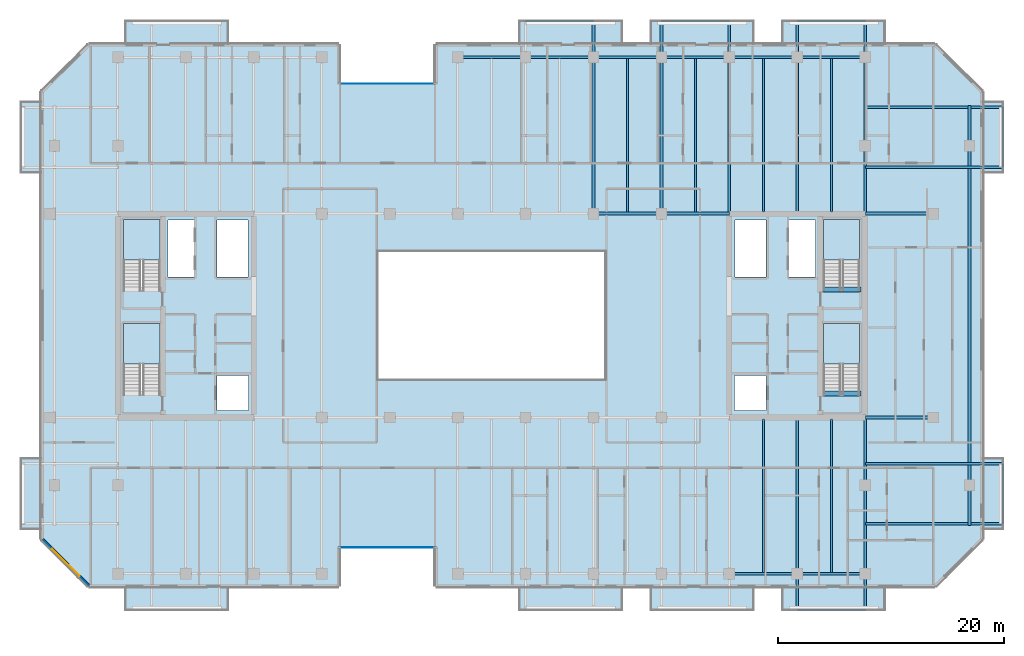
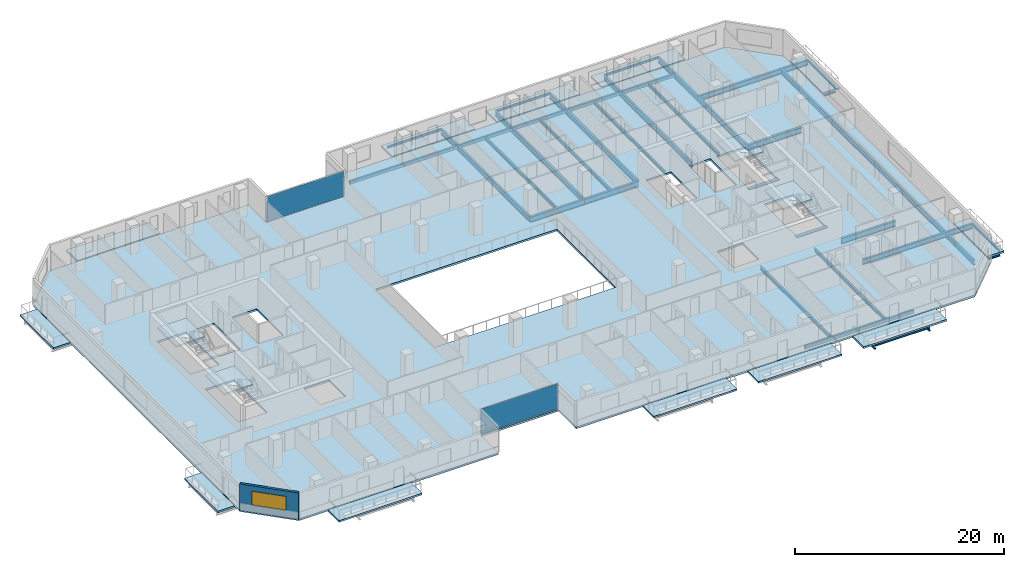
# One storey, part 9 of 23: 40 beams, 17 slabs, 2 plates, 1 wall, 1 window, 1 opening, 6 elements without a shape of their own.
"""IFC4 building model written with IfcOpenShell, lengths in metres."""

from ifc_helpers import new_model, si_unit, direction, frame, frame_2d, origin, origin_2d, place, context, subcontext, project, spatial, polyline, rectangle, hollow_rectangle, i_section, outline, extrude, material, layer, layer_set, material_profile, profile_set, type_object, element, fill, aggregate, save


model = new_model("IFC4")

# Units and contexts
model_context = context("Model", 3, precision=1e-05, world=origin(), true_north=direction((0.0, 1.0)))
body_context = subcontext(model_context, "Body", "Model", "MODEL_VIEW")
ifc_project = project(units=[si_unit("LENGTHUNIT", "METRE"), si_unit("AREAUNIT", "SQUARE_METRE"), si_unit("VOLUMEUNIT", "CUBIC_METRE"), si_unit("PLANEANGLEUNIT", "RADIAN"), si_unit("MASSUNIT", "GRAM", prefix="KILO")], contexts=[model_context])

# Site, building, storey
site_placement = place(None, origin())
site = spatial("IfcSite", under=ifc_project, at=site_placement, CompositionType="ELEMENT")
building_placement = place(site_placement, origin())
building = spatial("IfcBuilding", under=site, at=building_placement, Name="Tanjung Sevakor Pilgrim Tower", CompositionType="ELEMENT")
storey_placement = place(building_placement, frame((0.0, 0.0, 101.969970703125)))
storey = spatial("IfcBuildingStorey", under=building, at=storey_placement, Name="L28", CompositionType="ELEMENT", Elevation=101.969970703125)

# Beams
ifc_material_1 = material(Name="Steel S355J2", Category="steel")
ifc_material_profile_1 = material_profile(ifc_material_1, i_section(OverallWidth=0.25439453125, OverallDepth=0.6875, WebThickness=0.01318359375, FlangeThickness=0.02099609375, FilletRadius=0.01513671875, at=origin_2d()))
ifc_profile_set_1 = profile_set([ifc_material_profile_1], Name="Steel S355J2")
beam_type_1 = type_object("IfcBeamType", Name="BM-B-G2-UB_686x254x152", PredefinedType="BEAM", material=ifc_profile_set_1)
for number, where, z_axis, x_axis, name in (
    (1, (90.0, 24.60009765625, -0.563720703125), (1.0, 0.0, 0.0), (0.0, 1.0, 0.0), "L28 Primary Floor Girder MAIN Y246-09"),
    (2, (66.0, 42.60009765625, -0.563720703125), (1.0, 0.0, 0.0), (0.0, 1.0, 0.0), "L28 Primary Floor Girder MAIN Y426-07"),
    (3, (72.0, 42.60009765625, -0.563720703125), (1.0, 0.0, 0.0), (0.0, 1.0, 0.0), "L28 Primary Floor Girder MAIN Y426-08"),
    (4, (90.0, 42.60009765625, -0.563720703125), (1.0, 0.0, 0.0), (0.0, 1.0, 0.0), "L28 Primary Floor Girder MAIN Y426-09"),
):
    element("IfcBeam", number, at=place(storey_placement, frame(where, z_axis=z_axis, x_axis=x_axis)), inside=storey, type_object=beam_type_1, Name=name, PredefinedType="BEAM", context=body_context, shape_type="SweptSolid", body=[
        extrude(i_section(OverallWidth=0.25439453125, OverallDepth=0.6875, WebThickness=0.01318359375, FlangeThickness=0.02099609375, FilletRadius=0.01513671875, at=origin_2d()), origin(), (0.0, 0.0, 1.0), 6.0),
    ])
ifc_material_2 = material(Name="Steel S355J2", Category="steel")
ifc_material_profile_2 = material_profile(ifc_material_2, i_section(OverallWidth=0.230224609375, OverallDepth=0.6171875, WebThickness=0.01318359375, FlangeThickness=0.022216796875, FilletRadius=0.0126953125, at=origin_2d()))
ifc_profile_set_2 = profile_set([ifc_material_profile_2], Name="Steel S355J2")
beam_type_2 = type_object("IfcBeamType", Name="BM-B-G3-UB_610x229x140", PredefinedType="BEAM", material=ifc_profile_set_2)
for number, where, z_axis, x_axis, name in (
    (5, (66.0, 42.60009765625, -0.528564453125), (0.0, 1.0, 0.0), (-1.0, 0.0, 0.0), "L28 Balcony Cantilever Beam MAIN-N2-2"),
    (6, (72.0, 42.60009765625, -0.528564453125), (0.0, 1.0, 0.0), (-1.0, 0.0, 0.0), "L28 Balcony Cantilever Beam MAIN-N3-1"),
):
    element("IfcBeam", number, at=place(storey_placement, frame(where, z_axis=z_axis, x_axis=x_axis)), inside=storey, type_object=beam_type_2, Name=name, PredefinedType="BEAM", context=body_context, shape_type="SweptSolid", body=[
        extrude(i_section(OverallWidth=0.230224609375, OverallDepth=0.6171875, WebThickness=0.01318359375, FlangeThickness=0.022216796875, FilletRadius=0.0126953125, at=origin_2d()), origin(), (0.0, 0.0, 1.0), 16.97998046875),
    ])
beam_1_placement = place(storey_placement, frame((78.0, 42.727294921875, -0.528564453125), z_axis=(0.0, 1.0, 0.0), x_axis=(-1.0, 0.0, 0.0)))
element("IfcBeam", 7, at=beam_1_placement, inside=storey, type_object=beam_type_2, Name="L28 Balcony Cantilever Beam MAIN-N3-2", PredefinedType="BEAM", context=body_context, shape_type="SweptSolid", body=[
    extrude(i_section(OverallWidth=0.230224609375, OverallDepth=0.6171875, WebThickness=0.01318359375, FlangeThickness=0.022216796875, FilletRadius=0.0126953125, at=origin_2d()), origin(), (0.0, 0.0, 1.0), 16.852783203125),
])
beam_2_placement = place(storey_placement, frame((84.0, 24.47265625, -0.528564453125), z_axis=(0.0, -1.0, 0.0), x_axis=(1.0, 0.0, 0.0)))
element("IfcBeam", 8, at=beam_2_placement, inside=storey, type_object=beam_type_2, Name="L28 Balcony Cantilever Beam MAIN-S4-1", PredefinedType="BEAM", context=body_context, shape_type="SweptSolid", body=[
    extrude(i_section(OverallWidth=0.230224609375, OverallDepth=0.6171875, WebThickness=0.01318359375, FlangeThickness=0.022216796875, FilletRadius=0.0126953125, at=origin_2d()), origin(), (0.0, 0.0, 1.0), 16.8525390625),
])
beam_3_placement = place(storey_placement, frame((84.0, 42.727294921875, -0.528564453125), z_axis=(0.0, 1.0, 0.0), x_axis=(-1.0, 0.0, 0.0)))
element("IfcBeam", 9, at=beam_3_placement, inside=storey, type_object=beam_type_2, Name="L28 Balcony Cantilever Beam MAIN-N4-1", PredefinedType="BEAM", context=body_context, shape_type="SweptSolid", body=[
    extrude(i_section(OverallWidth=0.230224609375, OverallDepth=0.6171875, WebThickness=0.01318359375, FlangeThickness=0.022216796875, FilletRadius=0.0126953125, at=origin_2d()), origin(), (0.0, 0.0, 1.0), 16.852783203125),
])
beam_4_placement = place(storey_placement, frame((90.0, 24.47265625, -0.528564453125), z_axis=(0.0, -1.0, 0.0), x_axis=(1.0, 0.0, 0.0)))
element("IfcBeam", 10, at=beam_4_placement, inside=storey, type_object=beam_type_2, Name="L28 Balcony Cantilever Beam MAIN-S4-2", PredefinedType="BEAM", context=body_context, shape_type="SweptSolid", body=[
    extrude(i_section(OverallWidth=0.230224609375, OverallDepth=0.6171875, WebThickness=0.01318359375, FlangeThickness=0.022216796875, FilletRadius=0.0126953125, at=origin_2d()), origin(), (0.0, 0.0, 1.0), 16.8525390625),
])
beam_5_placement = place(storey_placement, frame((90.0, 42.727294921875, -0.528564453125), z_axis=(0.0, 1.0, 0.0), x_axis=(-1.0, 0.0, 0.0)))
element("IfcBeam", 11, at=beam_5_placement, inside=storey, type_object=beam_type_2, Name="L28 Balcony Cantilever Beam MAIN-N4-2", PredefinedType="BEAM", context=body_context, shape_type="SweptSolid", body=[
    extrude(i_section(OverallWidth=0.230224609375, OverallDepth=0.6171875, WebThickness=0.01318359375, FlangeThickness=0.022216796875, FilletRadius=0.0126953125, at=origin_2d()), origin(), (0.0, 0.0, 1.0), 16.852783203125),
])
ifc_material_3 = material(Name="Steel S355J2", Category="steel")
ifc_material_profile_3 = material_profile(ifc_material_3, i_section(OverallWidth=0.22900390625, OverallDepth=0.6123046875, WebThickness=0.011962890625, FlangeThickness=0.01953125, FilletRadius=0.0126953125, at=origin_2d()))
ifc_profile_set_3 = profile_set([ifc_material_profile_3], Name="Steel S355J2")
beam_type_3 = type_object("IfcBeamType", Name="BM-B-G4-UB_610x229x125", PredefinedType="BEAM", material=ifc_profile_set_3)
beam_6_placement = place(storey_placement, frame((99.199951171875, 18.60009765625, -0.526123046875), z_axis=(0.0, 1.0, 0.0), x_axis=(-1.0, 0.0, 0.0)))
element("IfcBeam", 12, at=beam_6_placement, inside=storey, type_object=beam_type_3, Name="L28 Short-End Edge Girder E", PredefinedType="BEAM", context=body_context, shape_type="SweptSolid", body=[
    extrude(i_section(OverallWidth=0.22900390625, OverallDepth=0.6123046875, WebThickness=0.011962890625, FlangeThickness=0.01953125, FilletRadius=0.0126953125, at=origin_2d()), origin(), (0.0, 0.0, 1.0), 30.0),
])
beam_7_placement = place(storey_placement, frame((99.199951171875, 18.60009765625, -0.526123046875), z_axis=(0.0, -1.0, 0.0), x_axis=(1.0, 0.0, 0.0)))
element("IfcBeam", 13, at=beam_7_placement, inside=storey, type_object=beam_type_3, Name="L28 Short-End Edge Extension S-E", PredefinedType="BEAM", context=body_context, shape_type="SweptSolid", body=[
    extrude(i_section(OverallWidth=0.22900390625, OverallDepth=0.6123046875, WebThickness=0.011962890625, FlangeThickness=0.01953125, FilletRadius=0.0126953125, at=origin_2d()), origin(), (0.0, 0.0, 1.0), 3.550048828125),
])
for number, where, z_axis, x_axis, name in (
    (14, (90.0, 15.199951171875, -0.526123046875), (1.0, 0.0, 0.0), (0.0, 1.0, 0.0), "L28 Balcony Overhanging Beam MAIN-E1-1"),
    (15, (90.0, 20.5, -0.526123046875), (1.0, 0.0, 0.0), (0.0, 1.0, 0.0), "L28 Balcony Overhanging Beam MAIN-E1-2"),
):
    element("IfcBeam", number, at=place(storey_placement, frame(where, z_axis=z_axis, x_axis=x_axis)), inside=storey, type_object=beam_type_3, Name=name, PredefinedType="BEAM", context=body_context, shape_type="SweptSolid", body=[
        extrude(i_section(OverallWidth=0.22900390625, OverallDepth=0.6123046875, WebThickness=0.011962890625, FlangeThickness=0.01953125, FilletRadius=0.0126953125, at=origin_2d()), origin(), (0.0, 0.0, 1.0), 12.1298828125),
    ])
beam_8_placement = place(storey_placement, frame((99.199951171875, 48.60009765625, -0.526123046875), z_axis=(0.0, 1.0, 0.0), x_axis=(-1.0, 0.0, 0.0)))
element("IfcBeam", 16, at=beam_8_placement, inside=storey, type_object=beam_type_3, Name="L28 Short-End Edge Extension N-E", PredefinedType="BEAM", context=body_context, shape_type="SweptSolid", body=[
    extrude(i_section(OverallWidth=0.22900390625, OverallDepth=0.6123046875, WebThickness=0.011962890625, FlangeThickness=0.01953125, FilletRadius=0.0126953125, at=origin_2d()), origin(), (0.0, 0.0, 1.0), 3.5498046875),
])
for number, where, z_axis, x_axis, name in (
    (17, (90.0, 46.699951171875, -0.526123046875), (1.0, 0.0, 0.0), (0.0, 1.0, 0.0), "L28 Balcony Overhanging Beam MAIN-E2-1"),
    (18, (90.0, 52.0, -0.526123046875), (1.0, 0.0, 0.0), (0.0, 1.0, 0.0), "L28 Balcony Overhanging Beam MAIN-E2-2"),
):
    element("IfcBeam", number, at=place(storey_placement, frame(where, z_axis=z_axis, x_axis=x_axis)), inside=storey, type_object=beam_type_3, Name=name, PredefinedType="BEAM", context=body_context, shape_type="SweptSolid", body=[
        extrude(i_section(OverallWidth=0.22900390625, OverallDepth=0.6123046875, WebThickness=0.011962890625, FlangeThickness=0.01953125, FilletRadius=0.0126953125, at=origin_2d()), origin(), (0.0, 0.0, 1.0), 12.1298828125),
    ])
ifc_material_4 = material(Name="Steel S355J2", Category="steel")
ifc_material_profile_4 = material_profile(ifc_material_4, i_section(OverallWidth=0.1787109375, OverallDepth=0.409423828125, WebThickness=0.0087890625, FlangeThickness=0.014404296875, FilletRadius=0.01025390625, at=origin_2d()))
ifc_profile_set_4 = profile_set([ifc_material_profile_4], Name="Steel S355J2")
beam_type_4 = type_object("IfcBeamType", Name="BM-B-J3-UB_406x178x67", PredefinedType="JOIST", material=ifc_profile_set_4)
for number, where, z_axis, x_axis, name in (
    (19, (69.0, 42.727294921875, -0.424560546875), (0.0, 1.0, 0.0), (-1.0, 0.0, 0.0), "L28 MAIN Joist 019"),
    (20, (75.0, 42.727294921875, -0.424560546875), (0.0, 1.0, 0.0), (-1.0, 0.0, 0.0), "L28 MAIN Joist 022"),
    (21, (81.0, 10.89990234375, -0.424560546875), (0.0, 1.0, 0.0), (-1.0, 0.0, 0.0), "L28 MAIN Joist 023"),
    (22, (81.0, 42.727294921875, -0.424560546875), (0.0, 1.0, 0.0), (-1.0, 0.0, 0.0), "L28 MAIN Joist 024"),
    (23, (87.0, 10.89990234375, -0.424560546875), (0.0, 1.0, 0.0), (-1.0, 0.0, 0.0), "L28 MAIN Joist 025"),
    (24, (87.0, 42.727294921875, -0.424560546875), (0.0, 1.0, 0.0), (-1.0, 0.0, 0.0), "L28 MAIN Joist 026"),
):
    element("IfcBeam", number, at=place(storey_placement, frame(where, z_axis=z_axis, x_axis=x_axis)), inside=storey, type_object=beam_type_4, Name=name, PredefinedType="JOIST", context=body_context, shape_type="SweptSolid", body=[
        extrude(i_section(OverallWidth=0.1787109375, OverallDepth=0.409423828125, WebThickness=0.0087890625, FlangeThickness=0.014404296875, FilletRadius=0.01025390625, at=origin_2d()), origin(), (0.0, 0.0, 1.0), 13.57275390625),
    ])
ifc_material_5 = material(Name="Steel S355J2", Category="steel")
ifc_material_profile_5 = material_profile(ifc_material_5, i_section(OverallWidth=0.146484375, OverallDepth=0.256103515625, WebThickness=0.00634765625, FlangeThickness=0.010986328125, FilletRadius=0.007568359375, at=origin_2d()))
ifc_profile_set_5 = profile_set([ifc_material_profile_5], Name="Steel S355J2")
beam_type_5 = type_object("IfcBeamType", Name="BM-B-J6-UB_254x146x37", PredefinedType="JOIST", material=ifc_profile_set_5)
for number, where, z_axis, x_axis, name in (
    (25, (60.0, 59.580078125, -0.327880859375), (1.0, 0.0, 0.0), (0.0, 1.0, 0.0), "L28 Balcony Rim Tie MAIN-N2"),
    (26, (72.0, 59.580078125, -0.327880859375), (1.0, 0.0, 0.0), (0.0, 1.0, 0.0), "L28 Balcony Rim Tie MAIN-N3"),
    (27, (84.0, 7.6201171875, -0.327880859375), (1.0, 0.0, 0.0), (0.0, 1.0, 0.0), "L28 Balcony Rim Tie MAIN-S4"),
    (28, (84.0, 59.580078125, -0.327880859375), (1.0, 0.0, 0.0), (0.0, 1.0, 0.0), "L28 Balcony Rim Tie MAIN-N4"),
):
    element("IfcBeam", number, at=place(storey_placement, frame(where, z_axis=z_axis, x_axis=x_axis)), inside=storey, type_object=beam_type_5, Name=name, PredefinedType="JOIST", context=body_context, shape_type="SweptSolid", body=[
        extrude(i_section(OverallWidth=0.146484375, OverallDepth=0.256103515625, WebThickness=0.00634765625, FlangeThickness=0.010986328125, FilletRadius=0.007568359375, at=origin_2d()), origin(), (0.0, 0.0, 1.0), 6.0),
    ])
for number, where, z_axis, x_axis, name in (
    (29, (102.1298828125, 15.199951171875, -0.327880859375), (0.0, 1.0, 0.0), (-1.0, 0.0, 0.0), "L28 Balcony Rim Tie MAIN-E1"),
    (30, (102.1298828125, 46.699951171875, -0.327880859375), (0.0, 1.0, 0.0), (-1.0, 0.0, 0.0), "L28 Balcony Rim Tie MAIN-E2"),
):
    element("IfcBeam", number, at=place(storey_placement, frame(where, z_axis=z_axis, x_axis=x_axis)), inside=storey, type_object=beam_type_5, Name=name, PredefinedType="JOIST", context=body_context, shape_type="SweptSolid", body=[
        extrude(i_section(OverallWidth=0.146484375, OverallDepth=0.256103515625, WebThickness=0.00634765625, FlangeThickness=0.010986328125, FilletRadius=0.007568359375, at=origin_2d()), origin(), (0.0, 0.0, 1.0), 5.300048828125),
    ])
ifc_material_6 = material(Name="Concrete C60/75", Category="concrete")
ifc_material_profile_6 = material_profile(ifc_material_6, rectangle(XDim=0.449951171875, YDim=0.699951171875, at=origin_2d()))
ifc_profile_set_6 = profile_set([ifc_material_profile_6], Name="Concrete C60/75")
beam_type_6 = type_object("IfcBeamType", Name="BM-B-LN3-RC-BM_450x700", PredefinedType="LINTEL", material=ifc_profile_set_6)
for number, where, z_axis, x_axis, name in (
    (31, (86.199951171875, 26.699951171875, -0.349853515625), (1.0, 0.0, 0.0), (0.0, 1.0, 0.0), "L28 TS-E1 Stair Threshold Beam"),
    (32, (86.199951171875, 35.89990234375, -0.349853515625), (1.0, 0.0, 0.0), (0.0, 1.0, 0.0), "L28 TS-E2 Stair Threshold Beam"),
):
    element("IfcBeam", number, at=place(storey_placement, frame(where, z_axis=z_axis, x_axis=x_axis)), inside=storey, type_object=beam_type_6, Name=name, PredefinedType="LINTEL", context=body_context, shape_type="SweptSolid", body=[
        extrude(rectangle(XDim=0.449951171875, YDim=0.699951171875, at=origin_2d()), origin(), (0.0, 0.0, 1.0), 3.400146484375),
    ])
ifc_material_7 = material(Name="Steel S355J2", Category="steel")
ifc_material_profile_7 = material_profile(ifc_material_7, hollow_rectangle(XDim=0.199951171875, YDim=0.39990234375, WallThickness=0.01611328125, at=origin_2d()))
ifc_profile_set_7 = profile_set([ifc_material_profile_7], Name="Steel S355J2")
beam_type_7 = type_object("IfcBeamType", Name="BM-B-SP2-RHS_400x200x16", PredefinedType="SPANDREL", material=ifc_profile_set_7)
for number, where, z_axis, x_axis, name in (
    (33, (54.0, 56.39990234375, -0.419921875), (1.0, 0.0, 0.0), (0.0, 1.0, 0.0), "L28 Spandrel MAIN N-08"),
    (34, (60.0, 56.39990234375, -0.419921875), (1.0, 0.0, 0.0), (0.0, 1.0, 0.0), "L28 Spandrel MAIN N-10"),
    (35, (66.0, 56.39990234375, -0.419921875), (1.0, 0.0, 0.0), (0.0, 1.0, 0.0), "L28 Spandrel MAIN N-12"),
    (36, (72.0, 56.39990234375, -0.419921875), (1.0, 0.0, 0.0), (0.0, 1.0, 0.0), "L28 Spandrel MAIN N-14"),
    (37, (78.0, 10.800048828125, -0.419921875), (1.0, 0.0, 0.0), (0.0, 1.0, 0.0), "L28 Spandrel MAIN S-15"),
    (38, (78.0, 56.39990234375, -0.419921875), (1.0, 0.0, 0.0), (0.0, 1.0, 0.0), "L28 Spandrel MAIN N-16"),
    (39, (84.0, 10.800048828125, -0.419921875), (1.0, 0.0, 0.0), (0.0, 1.0, 0.0), "L28 Spandrel MAIN S-17"),
    (40, (84.0, 56.39990234375, -0.419921875), (1.0, 0.0, 0.0), (0.0, 1.0, 0.0), "L28 Spandrel MAIN N-18"),
):
    element("IfcBeam", number, at=place(storey_placement, frame(where, z_axis=z_axis, x_axis=x_axis)), inside=storey, type_object=beam_type_7, Name=name, PredefinedType="SPANDREL", context=body_context, shape_type="SweptSolid", body=[
        extrude(hollow_rectangle(XDim=0.199951171875, YDim=0.39990234375, WallThickness=0.01611328125, at=origin_2d()), origin(), (0.0, 0.0, 1.0), 6.0),
    ])

# Slabs
ifc_material_8 = material(Name="Concrete C40/50", Category="concrete")
ifc_layer_1 = layer(ifc_material_8, 0.199951171875)
ifc_layer_set_1 = layer_set([ifc_layer_1], Name="SL-BAL-200")
slab_type_1 = type_object("IfcSlabType", Name="SL-BAL-200", PredefinedType="FLOOR", material=ifc_layer_set_1)
slab_1_placement = place(storey_placement, frame((0.0, 0.0, -0.199951171875)))
element("IfcSlab", 41, at=slab_1_placement, inside=storey, type_object=slab_type_1, Name="L28 Planted Loggia Balcony MAIN-S1", PredefinedType="FLOOR", context=body_context, shape_type="SweptSolid", body=[
    extrude(outline(polyline([(24.60009765625, 7.5), (33.800048828125, 7.5), (33.800048828125, 9.60009765625), (24.60009765625, 9.60009765625), (24.60009765625, 7.5)])), origin(), (0.0, 0.0, 1.0), 0.199951171875),
])
slab_2_placement = place(storey_placement, frame((0.0, 0.0, -0.199951171875)))
element("IfcSlab", 42, at=slab_2_placement, inside=storey, type_object=slab_type_1, Name="L28 Planted Loggia Balcony MAIN-N1", PredefinedType="FLOOR", context=body_context, shape_type="SweptSolid", body=[
    extrude(outline(polyline([(24.60009765625, 57.60009765625), (33.800048828125, 57.60009765625), (33.800048828125, 59.699951171875), (24.60009765625, 59.699951171875), (24.60009765625, 57.60009765625)])), origin(), (0.0, 0.0, 1.0), 0.199951171875),
])
slab_3_placement = place(storey_placement, frame((0.0, 0.0, -0.199951171875)))
element("IfcSlab", 43, at=slab_3_placement, inside=storey, type_object=slab_type_1, Name="L28 Planted Loggia Balcony MAIN-S2", PredefinedType="FLOOR", context=body_context, shape_type="SweptSolid", body=[
    extrude(outline(polyline([(59.39990234375, 7.5), (68.60009765625, 7.5), (68.60009765625, 9.60009765625), (59.39990234375, 9.60009765625), (59.39990234375, 7.5)])), origin(), (0.0, 0.0, 1.0), 0.199951171875),
])
slab_4_placement = place(storey_placement, frame((0.0, 0.0, -0.199951171875)))
element("IfcSlab", 44, at=slab_4_placement, inside=storey, type_object=slab_type_1, Name="L28 Planted Loggia Balcony MAIN-N2", PredefinedType="FLOOR", context=body_context, shape_type="SweptSolid", body=[
    extrude(outline(polyline([(59.39990234375, 57.60009765625), (68.60009765625, 57.60009765625), (68.60009765625, 59.699951171875), (59.39990234375, 59.699951171875), (59.39990234375, 57.60009765625)])), origin(), (0.0, 0.0, 1.0), 0.199951171875),
])
slab_5_placement = place(storey_placement, frame((0.0, 0.0, -0.199951171875)))
element("IfcSlab", 45, at=slab_5_placement, inside=storey, type_object=slab_type_1, Name="L28 Planted Loggia Balcony MAIN-S3", PredefinedType="FLOOR", context=body_context, shape_type="SweptSolid", body=[
    extrude(outline(polyline([(71.0, 7.5), (80.199951171875, 7.5), (80.199951171875, 9.60009765625), (71.0, 9.60009765625), (71.0, 7.5)])), origin(), (0.0, 0.0, 1.0), 0.199951171875),
])
slab_6_placement = place(storey_placement, frame((0.0, 0.0, -0.199951171875)))
element("IfcSlab", 46, at=slab_6_placement, inside=storey, type_object=slab_type_1, Name="L28 Planted Loggia Balcony MAIN-N3", PredefinedType="FLOOR", context=body_context, shape_type="SweptSolid", body=[
    extrude(outline(polyline([(71.0, 57.60009765625), (80.199951171875, 57.60009765625), (80.199951171875, 59.699951171875), (71.0, 59.699951171875), (71.0, 57.60009765625)])), origin(), (0.0, 0.0, 1.0), 0.199951171875),
])
slab_7_placement = place(storey_placement, frame((0.0, 0.0, -0.199951171875)))
element("IfcSlab", 47, at=slab_7_placement, inside=storey, type_object=slab_type_1, Name="L28 Planted Loggia Balcony MAIN-S4", PredefinedType="FLOOR", context=body_context, shape_type="SweptSolid", body=[
    extrude(outline(polyline([(82.60009765625, 7.5), (91.800048828125, 7.5), (91.800048828125, 9.60009765625), (82.60009765625, 9.60009765625), (82.60009765625, 7.5)])), origin(), (0.0, 0.0, 1.0), 0.199951171875),
])
slab_8_placement = place(storey_placement, frame((0.0, 0.0, -0.199951171875)))
element("IfcSlab", 48, at=slab_8_placement, inside=storey, type_object=slab_type_1, Name="L28 Planted Loggia Balcony MAIN-N4", PredefinedType="FLOOR", context=body_context, shape_type="SweptSolid", body=[
    extrude(outline(polyline([(82.60009765625, 57.60009765625), (91.800048828125, 57.60009765625), (91.800048828125, 59.699951171875), (82.60009765625, 59.699951171875), (82.60009765625, 57.60009765625)])), origin(), (0.0, 0.0, 1.0), 0.199951171875),
])
slab_9_placement = place(storey_placement, frame((0.0, 0.0, -0.199951171875)))
element("IfcSlab", 49, at=slab_9_placement, inside=storey, type_object=slab_type_1, Name="L28 Planted Loggia Balcony MAIN-W1", PredefinedType="FLOOR", context=body_context, shape_type="SweptSolid", body=[
    extrude(outline(polyline([(15.35009765625, 14.64990234375), (17.199951171875, 14.64990234375), (17.199951171875, 21.050048828125), (15.35009765625, 21.050048828125), (15.35009765625, 14.64990234375)])), origin(), (0.0, 0.0, 1.0), 0.199951171875),
])
slab_10_placement = place(storey_placement, frame((0.0, 0.0, -0.199951171875)))
element("IfcSlab", 50, at=slab_10_placement, inside=storey, type_object=slab_type_1, Name="L28 Planted Loggia Balcony MAIN-E1", PredefinedType="FLOOR", context=body_context, shape_type="SweptSolid", body=[
    extrude(outline(polyline([(100.39990234375, 14.64990234375), (102.25, 14.64990234375), (102.25, 21.050048828125), (100.39990234375, 21.050048828125), (100.39990234375, 14.64990234375)])), origin(), (0.0, 0.0, 1.0), 0.199951171875),
])
slab_11_placement = place(storey_placement, frame((0.0, 0.0, -0.199951171875)))
element("IfcSlab", 51, at=slab_11_placement, inside=storey, type_object=slab_type_1, Name="L28 Planted Loggia Balcony MAIN-W2", PredefinedType="FLOOR", context=body_context, shape_type="SweptSolid", body=[
    extrude(outline(polyline([(15.35009765625, 46.14990234375), (17.199951171875, 46.14990234375), (17.199951171875, 52.550048828125), (15.35009765625, 52.550048828125), (15.35009765625, 46.14990234375)])), origin(), (0.0, 0.0, 1.0), 0.199951171875),
])
slab_12_placement = place(storey_placement, frame((0.0, 0.0, -0.199951171875)))
element("IfcSlab", 52, at=slab_12_placement, inside=storey, type_object=slab_type_1, Name="L28 Planted Loggia Balcony MAIN-E2", PredefinedType="FLOOR", context=body_context, shape_type="SweptSolid", body=[
    extrude(outline(polyline([(100.39990234375, 46.14990234375), (102.25, 46.14990234375), (102.25, 52.550048828125), (100.39990234375, 52.550048828125), (100.39990234375, 46.14990234375)])), origin(), (0.0, 0.0, 1.0), 0.199951171875),
])

# Stair, slab
ifc_material_9 = material(Name="Concrete C40/50", Category="concrete")
stair_type = type_object("IfcStairType", Name="STAIR-ST-CR150", PredefinedType="HALF_TURN_STAIR", material=ifc_material_9)
stair_1_placement = place(storey_placement, origin())
stair_1 = element("IfcStair", 53, at=stair_1_placement, inside=storey, type_object=stair_type, Name="L28 West Core Exit Stair 1", PredefinedType="HALF_TURN_STAIR")
ifc_material_10 = material(Name="Concrete C40/50", Category="concrete")
ifc_layer_2 = layer(ifc_material_10, 0.199951171875)
ifc_layer_set_2 = layer_set([ifc_layer_2], Name="SL-LAND-200")
slab_type_2 = type_object("IfcSlabType", Name="SL-LAND-200", PredefinedType="LANDING", material=ifc_layer_set_2)
slab_13_placement = place(storey_placement, frame((0.0, 0.0, 1.449951171875)))
slab_13 = element("IfcSlab", 54, at=slab_13_placement, type_object=slab_type_2, Name="TS-W1 landing 1", PredefinedType="LANDING", context=body_context, shape_type="SweptSolid", body=[
    extrude(outline(polyline([(27.699951171875, 29.300048828125), (27.699951171875, 32.89990234375), (24.5, 32.89990234375), (24.5, 29.300048828125), (27.699951171875, 29.300048828125)])), origin(), (0.0, 0.0, 1.0), 0.2001953125),
])
aggregate(stair_1, [slab_13])

stair_2_placement = place(storey_placement, origin())
stair_2 = element("IfcStair", 55, at=stair_2_placement, inside=storey, type_object=stair_type, Name="L28 West Core Exit Stair 2", PredefinedType="HALF_TURN_STAIR")
slab_14_placement = place(storey_placement, frame((0.0, 0.0, 1.449951171875)))
slab_14 = element("IfcSlab", 56, at=slab_14_placement, type_object=slab_type_2, Name="TS-W2 landing 1", PredefinedType="LANDING", context=body_context, shape_type="SweptSolid", body=[
    extrude(outline(polyline([(27.699951171875, 38.5), (27.699951171875, 42.10009765625), (24.5, 42.10009765625), (24.5, 38.5), (27.699951171875, 38.5)])), origin(), (0.0, 0.0, 1.0), 0.2001953125),
])
aggregate(stair_2, [slab_14])

stair_3_placement = place(storey_placement, origin())
stair_3 = element("IfcStair", 57, at=stair_3_placement, inside=storey, type_object=stair_type, Name="L28 East Core Exit Stair 1", PredefinedType="HALF_TURN_STAIR")
slab_15_placement = place(storey_placement, frame((0.0, 0.0, 1.449951171875)))
slab_15 = element("IfcSlab", 58, at=slab_15_placement, type_object=slab_type_2, Name="TS-E1 landing 1", PredefinedType="LANDING", context=body_context, shape_type="SweptSolid", body=[
    extrude(outline(polyline([(89.5, 29.300048828125), (89.5, 32.89990234375), (86.300048828125, 32.89990234375), (86.300048828125, 29.300048828125), (89.5, 29.300048828125)])), origin(), (0.0, 0.0, 1.0), 0.2001953125),
])
aggregate(stair_3, [slab_15])

stair_4_placement = place(storey_placement, origin())
stair_4 = element("IfcStair", 59, at=stair_4_placement, inside=storey, type_object=stair_type, Name="L28 East Core Exit Stair 2", PredefinedType="HALF_TURN_STAIR")
slab_16_placement = place(storey_placement, frame((0.0, 0.0, 1.449951171875)))
slab_16 = element("IfcSlab", 60, at=slab_16_placement, type_object=slab_type_2, Name="TS-E2 landing 1", PredefinedType="LANDING", context=body_context, shape_type="SweptSolid", body=[
    extrude(outline(polyline([(89.5, 38.5), (89.5, 42.10009765625), (86.300048828125, 42.10009765625), (86.300048828125, 38.5), (89.5, 38.5)])), origin(), (0.0, 0.0, 1.0), 0.2001953125),
])
aggregate(stair_4, [slab_16])

# Slab
ifc_material_11 = material(Name="Concrete C40/50", Category="concrete")
ifc_layer_3 = layer(ifc_material_11, 0.219970703125)
ifc_layer_set_3 = layer_set([ifc_layer_3], Name="SL-TWR-220")
slab_type_3 = type_object("IfcSlabType", Name="SL-TWR-220", PredefinedType="FLOOR", material=ifc_layer_set_3)
slab_17_placement = place(storey_placement, frame((0.0, 0.0, -0.219970703125)))
element("IfcSlab", 61, at=slab_17_placement, inside=storey, type_object=slab_type_3, Name="L28 Floor Slab MAIN", PredefinedType="FLOOR", context=body_context, shape_type="SweptSolid", body=[
    extrude(outline(polyline([(21.447021484375, 9.679931640625), (43.52001953125, 9.679931640625), (43.52001953125, 13.080078125), (52.080078125, 13.080078125), (52.080078125, 9.679931640625), (96.153076171875, 9.679931640625), (100.320068359375, 13.846923828125), (100.320068359375, 53.35302734375), (96.153076171875, 57.52001953125), (52.080078125, 57.52001953125), (52.080078125, 54.1201171875), (43.52001953125, 54.1201171875), (43.52001953125, 57.52001953125), (21.447021484375, 57.52001953125), (17.280029296875, 53.35302734375), (17.280029296875, 13.846923828125), (21.447021484375, 9.679931640625)]), holes=[polyline([(27.699951171875, 26.60009765625), (27.699951171875, 32.89990234375), (24.5, 32.89990234375), (24.5, 26.60009765625), (27.699951171875, 26.60009765625)]), polyline([(27.699951171875, 35.800048828125), (27.699951171875, 42.10009765625), (24.5, 42.10009765625), (24.5, 35.800048828125), (27.699951171875, 35.800048828125)]), polyline([(89.5, 26.60009765625), (89.5, 32.89990234375), (86.300048828125, 32.89990234375), (86.300048828125, 26.60009765625), (89.5, 26.60009765625)]), polyline([(89.5, 35.800048828125), (89.5, 42.10009765625), (86.300048828125, 42.10009765625), (86.300048828125, 35.800048828125), (89.5, 35.800048828125)]), polyline([(32.75, 25.199951171875), (35.550048828125, 25.199951171875), (35.550048828125, 28.300048828125), (32.75, 28.300048828125), (32.75, 25.199951171875)]), polyline([(28.39990234375, 37.0), (30.75, 37.0), (30.75, 42.050048828125), (28.39990234375, 42.050048828125), (28.39990234375, 37.0)]), polyline([(32.75, 37.0), (35.5, 37.0), (35.5, 42.050048828125), (32.75, 42.050048828125), (32.75, 37.0)]), polyline([(78.449951171875, 25.199951171875), (81.25, 25.199951171875), (81.25, 28.300048828125), (78.449951171875, 28.300048828125), (78.449951171875, 25.199951171875)]), polyline([(83.25, 37.0), (85.60009765625, 37.0), (85.60009765625, 42.050048828125), (83.25, 42.050048828125), (83.25, 37.0)]), polyline([(78.5, 37.0), (81.25, 37.0), (81.25, 42.050048828125), (78.5, 42.050048828125), (78.5, 37.0)]), polyline([(47.0, 28.0), (67.0, 28.0), (67.0, 39.199951171875), (47.0, 39.199951171875), (47.0, 28.0)])]), origin(), (0.0, 0.0, 1.0), 0.219970703125),
])

# Curtain wall, plate
ifc_material_12 = material(Name="Aluminium 6063-T6 and Low-E Glass", Category="aluminium")
ifc_layer_4 = layer(ifc_material_12, 0.179931640625)
ifc_layer_set_4 = layer_set([ifc_layer_4], Name="CW-SYS-CLEFT")
curtain_wall_type = type_object("IfcCurtainWallType", Name="CW-SYS-CLEFT", PredefinedType="NOTDEFINED", material=ifc_layer_set_4)
curtain_wall_1_placement = place(storey_placement, origin())
curtain_wall_1 = element("IfcCurtainWall", 62, at=curtain_wall_1_placement, inside=storey, type_object=curtain_wall_type, Name="L28 Curtain Wall CW-CLF-L28-2", PredefinedType="NOTDEFINED")
ifc_material_13 = material(Name="Laminated Low-E Double Glazing", Category="glass")
ifc_layer_5 = layer(ifc_material_13, 0.028076171875)
ifc_layer_set_5 = layer_set([ifc_layer_5], Name="TYPE-CWP-GLZ1")
plate_type = type_object("IfcPlateType", Name="TYPE-CWP-GLZ1", PredefinedType="CURTAIN_PANEL", material=ifc_layer_set_5)
plate_1_placement = place(storey_placement, frame((47.800048828125, 13.125, 0.06494140625), z_axis=(0.0, 0.0, 1.0), x_axis=(1.0, 0.0, 0.0)))
plate_1 = element("IfcPlate", 63, at=plate_1_placement, type_object=plate_type, Name="CW-CLF panel 1.1", PredefinedType="CURTAIN_PANEL", context=body_context, shape_type="SweptSolid", body=[
    extrude(rectangle(XDim=8.5, YDim=0.028076171875, at=origin_2d()), origin(), (0.0, 0.0, 1.0), 2.949951171875),
])
aggregate(curtain_wall_1, [plate_1])

curtain_wall_2_placement = place(storey_placement, origin())
curtain_wall_2 = element("IfcCurtainWall", 64, at=curtain_wall_2_placement, inside=storey, type_object=curtain_wall_type, Name="L28 Curtain Wall CW-CLF-L28-10", PredefinedType="NOTDEFINED")
plate_2_placement = place(storey_placement, frame((47.800048828125, 54.074951171875, 0.06494140625), z_axis=(0.0, 0.0, 1.0), x_axis=(-1.0, 0.0, 0.0)))
plate_2 = element("IfcPlate", 65, at=plate_2_placement, type_object=plate_type, Name="CW-CLF panel 1.1", PredefinedType="CURTAIN_PANEL", context=body_context, shape_type="SweptSolid", body=[
    extrude(rectangle(XDim=8.5, YDim=0.028076171875, at=origin_2d()), origin(), (0.0, 0.0, 1.0), 2.949951171875),
])
aggregate(curtain_wall_2, [plate_2])

# Wall, opening, window
ifc_material_14 = material(Name="Precast concrete C45/55", Category="concrete")
ifc_layer_6 = layer(ifc_material_14, 0.25)
ifc_layer_set_6 = layer_set([ifc_layer_6], Name="WT-EW-STN3")
wall_type = type_object("IfcWallType", Name="WT-EW-STN3", PredefinedType="SOLIDWALL", material=ifc_layer_set_6)
wall_placement = place(storey_placement, frame((17.324951171875, 13.851806640625, 0.0), z_axis=(0.0, 0.0, 1.0), x_axis=(0.707127696864, -0.70708586489, 0.0)))
wall = element("IfcWall", 66, at=wall_placement, inside=storey, type_object=wall_type, Name="L28 MAIN Sculpted Corner Wall 15", PredefinedType="SOLIDWALL", context=body_context, shape_type="SweptSolid", body=[
    extrude(rectangle(XDim=5.836181640625, YDim=0.25, at=frame_2d((2.91796875, 0.0))), origin(), (0.0, 0.0, 1.0), 3.080078125),
])
opening_placement = place(wall_placement, frame((1.218017578125, 0.0, 0.780029296875)))
opening = element("IfcOpeningElement", 67, at=opening_placement, cuts=wall, Name="Opening WN-CHM-1660", PredefinedType="OPENING", context=body_context, shape_type="SweptSolid", body=[
    extrude(rectangle(XDim=3.39990234375, YDim=1.659912109375, at=frame_2d((1.699951171875, 0.830078125))), frame((0.0, 0.135009765625, 0.0), z_axis=(0.0, -1.0, 0.0), x_axis=(1.0, 0.0, 0.0)), (0.0, 0.0, 1.0), 0.27001953125),
])
ifc_material_15 = material(Name="Thermally Broken Aluminium and Low-E Glass", Category="aluminium")
window_type = type_object("IfcWindowType", Name="WTYP-WN-CHM-1660", PartitioningType="DOUBLE_PANEL_VERTICAL", PredefinedType="WINDOW", material=ifc_material_15)
window_placement = place(opening_placement, origin())
window = element("IfcWindow", 68, at=window_placement, inside=storey, type_object=window_type, Name="L28 Facade Window 01", OverallHeight=1.659912109375, OverallWidth=3.39990234375, PartitioningType="SINGLE_PANEL", PredefinedType="WINDOW", context=body_context, shape_type="SweptSolid", body=[
    extrude(rectangle(XDim=3.39990234375, YDim=1.659912109375, at=frame_2d((1.699951171875, 0.830078125))), frame((0.0, 0.030029296875, 0.0), z_axis=(0.0, -1.0, 0.0), x_axis=(1.0, 0.0, 0.0)), (0.0, 0.0, 1.0), 0.06005859375),
])
fill(opening, window)

save(model, "model.ifc")
